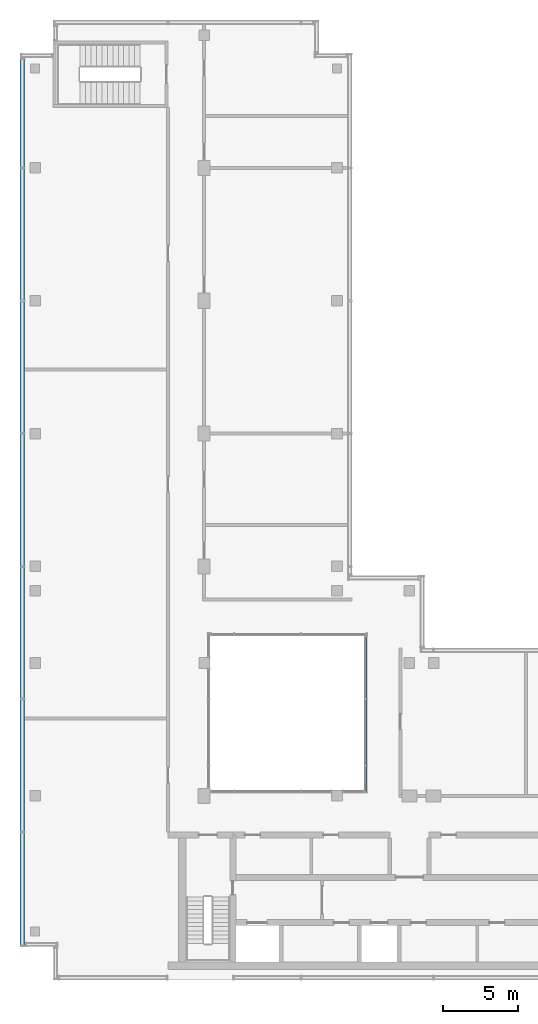
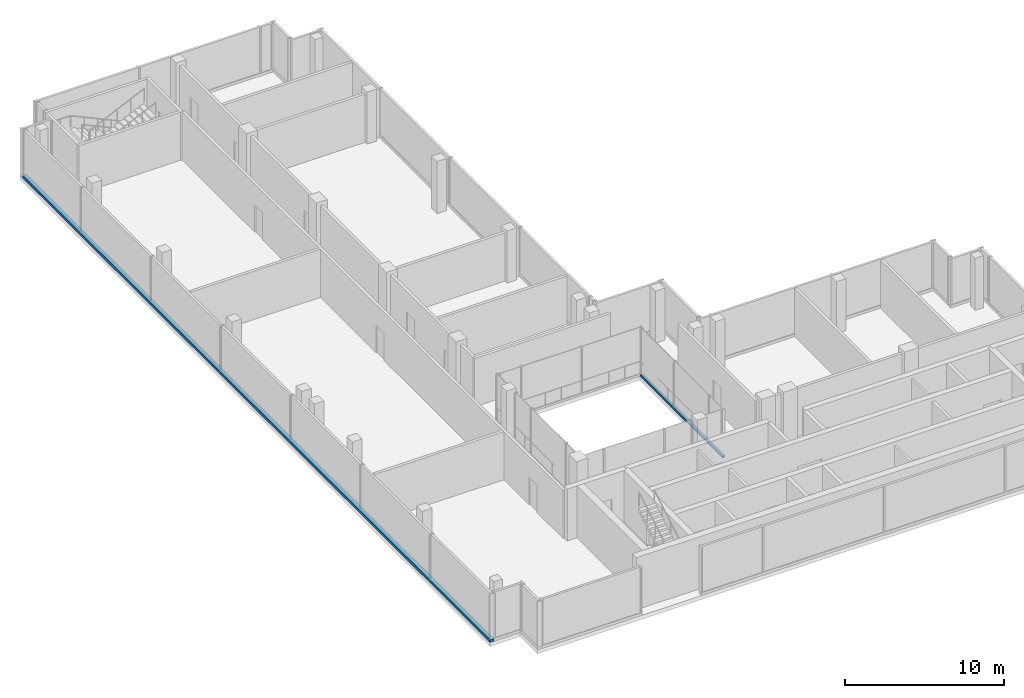
# One storey, part 4 of 11: 2 members, 2 elements without a shape of their own.
"""IFC4 building model written with IfcOpenShell, lengths in metres."""

from ifc_helpers import new_model, si_unit, direction, frame, origin, origin_2d, place, context, subcontext, project, spatial, rectangle, extrude, material, material_profile, profile_set, type_object, element, aggregate, save


model = new_model("IFC4")

# Units and contexts
model_context = context("Model", 3, precision=1e-05, world=origin(), true_north=direction((0.0, 1.0)))
body_context = subcontext(model_context, "Body", "Model", "MODEL_VIEW")
ifc_project = project(units=[si_unit("LENGTHUNIT", "METRE"), si_unit("AREAUNIT", "SQUARE_METRE"), si_unit("VOLUMEUNIT", "CUBIC_METRE"), si_unit("PLANEANGLEUNIT", "RADIAN"), si_unit("MASSUNIT", "GRAM", prefix="KILO")], contexts=[model_context])

# Site, building, storey
site_placement = place(None, origin())
site = spatial("IfcSite", under=ifc_project, at=site_placement, CompositionType="ELEMENT")
building_placement = place(site_placement, origin())
building = spatial("IfcBuilding", under=site, at=building_placement, Name="Kemantara Hotel Tower", CompositionType="ELEMENT")
storey_placement = place(building_placement, frame((0.0, 0.0, 322.199951171875)))
storey = spatial("IfcBuildingStorey", under=building, at=storey_placement, Name="L81", CompositionType="ELEMENT", Elevation=322.199951171875)

# Curtain wall, member
ifc_material_1 = material(Name="Clear low-iron laminated glass 36 mm", Category="glass")
curtain_wall_type_1 = type_object("IfcCurtainWallType", Name="ATRIUM GLAZING WALL", PredefinedType="USERDEFINED", material=ifc_material_1)
curtain_wall_1_placement = place(storey_placement, origin())
curtain_wall_1 = element("IfcCurtainWall", 1, at=curtain_wall_1_placement, inside=storey, type_object=curtain_wall_type_1, Name="CW5 L81 ATR-R1-1", ObjectType="ATRIUM GLAZING WALL", PredefinedType="USERDEFINED")
ifc_material_2 = material(Name="Aluminium 6063-T6 bronze anodised", Category="aluminium")
ifc_material_profile_1 = material_profile(ifc_material_2, rectangle(XDim=0.199951171875, YDim=0.14990234375, at=origin_2d()), Name="ATRIUM GLAZING WALL TRANSOM")
ifc_profile_set_1 = profile_set([ifc_material_profile_1], Name="Aluminium 6063-T6 bronze anodised")
member_type_1 = type_object("IfcMemberType", Name="ATRIUM GLAZING WALL TRANSOM", PredefinedType="USERDEFINED", material=ifc_profile_set_1)
member_1_placement = place(storey_placement, frame((22.89990234375, 22.800048828125, 0.074951171875), z_axis=(0.0, -1.0, 0.0), x_axis=(1.0, 0.0, 0.0)))
member_1 = element("IfcMember", 2, at=member_1_placement, type_object=member_type_1, Name="CW5 sill transom ATR-R1-1", ObjectType="TRANSOM", PredefinedType="USERDEFINED", context=body_context, shape_type="SweptSolid", body=[
    extrude(rectangle(XDim=0.199951171875, YDim=0.14990234375, at=origin_2d()), origin(), (0.0, 0.0, 1.0), 10.400146484375),
])
aggregate(curtain_wall_1, [member_1])

curtain_wall_type_2 = type_object("IfcCurtainWallType", Name="CROWN LOUVRE SCREEN WALL", PredefinedType="USERDEFINED", material=ifc_material_2)
curtain_wall_2_placement = place(storey_placement, origin())
curtain_wall_2 = element("IfcCurtainWall", 3, at=curtain_wall_2_placement, inside=storey, type_object=curtain_wall_type_2, Name="CW7 L81 CRN-R05-1", ObjectType="CROWN LOUVRE SCREEN WALL", PredefinedType="USERDEFINED")
ifc_material_profile_2 = material_profile(ifc_material_2, rectangle(XDim=0.300048828125, YDim=0.199951171875, at=origin_2d()), Name="CROWN LOUVRE SCREEN WALL TRANSOM")
ifc_profile_set_2 = profile_set([ifc_material_profile_2], Name="Aluminium 6063-T6 bronze anodised")
member_type_2 = type_object("IfcMemberType", Name="CROWN LOUVRE SCREEN WALL TRANSOM", PredefinedType="USERDEFINED", material=ifc_profile_set_2)
member_2_placement = place(storey_placement, frame((0.14990234375, 61.10009765625, 0.10009765625), z_axis=(0.0, -1.0, 0.0), x_axis=(1.0, 0.0, 0.0)))
member_2 = element("IfcMember", 4, at=member_2_placement, type_object=member_type_2, Name="CW7 sill transom CRN-R05-1", ObjectType="TRANSOM", PredefinedType="USERDEFINED", context=body_context, shape_type="SweptSolid", body=[
    extrude(rectangle(XDim=0.300048828125, YDim=0.199951171875, at=origin_2d()), origin(), (0.0, 0.0, 1.0), 58.900146484375),
])
aggregate(curtain_wall_2, [member_2])

save(model, "model.ifc")
